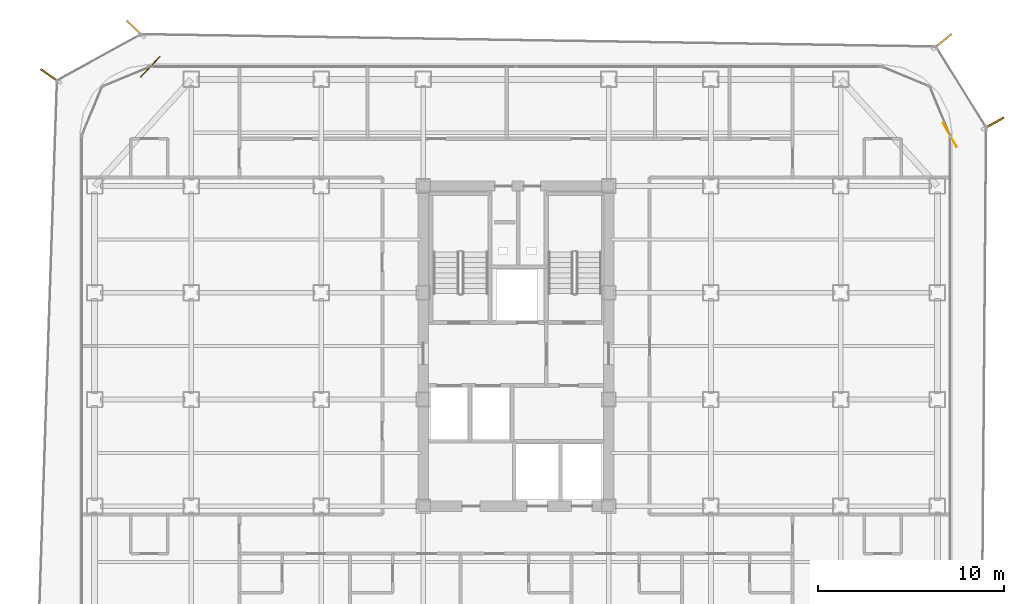
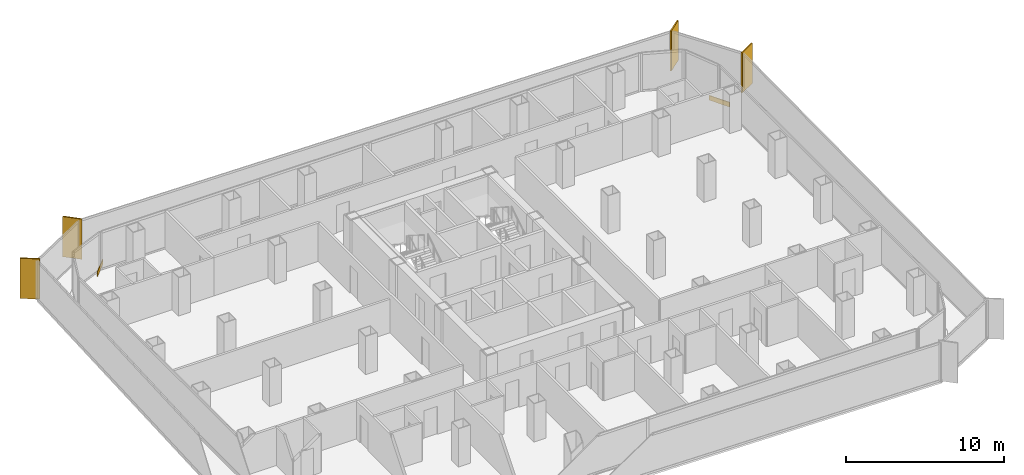
# One storey, part 21 of 21: 4 shading devices, 2 coverings.
"""IFC4 building model written with IfcOpenShell, lengths in metres."""

from ifc_helpers import new_model, si_unit, direction, frame, origin, origin_2d, place, context, subcontext, project, spatial, rectangle, extrude, source, transform, mapped, material, layer, layer_set, type_object, element, save


model = new_model("IFC4")

# Units and contexts
model_context = context("Model", 3, precision=1e-05, world=origin(), true_north=direction((0.0, 1.0)))
body_context = subcontext(model_context, "Body", "Model", "MODEL_VIEW")
ifc_project = project(units=[si_unit("LENGTHUNIT", "METRE"), si_unit("AREAUNIT", "SQUARE_METRE"), si_unit("VOLUMEUNIT", "CUBIC_METRE"), si_unit("PLANEANGLEUNIT", "RADIAN"), si_unit("MASSUNIT", "GRAM", prefix="KILO")], contexts=[model_context])

# Site, building, storey
site_placement = place(None, origin())
site = spatial("IfcSite", under=ifc_project, at=site_placement, CompositionType="ELEMENT")
building_placement = place(site_placement, origin())
building = spatial("IfcBuilding", under=site, at=building_placement, Name="Kolveth Station Tower", CompositionType="ELEMENT")
storey_placement = place(building_placement, frame((0.0, 0.0, 111.89990234375)))
storey = spatial("IfcBuildingStorey", under=building, at=storey_placement, Name="L30", CompositionType="ELEMENT", Elevation=111.89990234375)

# Shading devices
ifc_material_1 = material(Name="Black anodized aluminium 6063-T6", Category="aluminium")
shading_device_type = type_object("IfcShadingDeviceType", Name="FIN_VF1", PredefinedType="USERDEFINED", material=ifc_material_1)
shared_shape_1 = source(origin(), body_context, "Body", "SweptSolid", [
    extrude(rectangle(XDim=1.25, YDim=0.090087890625, at=origin_2d()), origin(), (0.0, 0.0, 1.0), 3.10009765625),
])
for number, where, z_axis, x_axis, name in (
    (1, (49.22412109375, 32.131103515625, 0.0), (0.0, 0.0, 1.0), (0.871385115776, 0.490599612724, 0.0), "L30 Dark-Aluminium Solar Fin 3"),
    (2, (46.47802734375, 36.5458984375, 0.0), (0.0, 0.0, 1.0), (0.772401123468, 0.635135028529, 0.0), "L30 Dark-Aluminium Solar Fin 4"),
    (3, (2.97607421875, 37.23291015625, 0.0), (0.0, 0.0, 1.0), (-0.7234492966, 0.690377516471, 0.0), "L30 Dark-Aluminium Solar Fin 5"),
    (4, (-1.594970703125, 34.69091796875, 0.0), (0.0, 0.0, 1.0), (-0.827276727994, 0.56179463803, 0.0), "L30 Dark-Aluminium Solar Fin 6"),
):
    element("IfcShadingDevice", number, at=place(storey_placement, frame(where, z_axis=z_axis, x_axis=x_axis)), inside=storey, type_object=shading_device_type, Name=name, ObjectType="FIN", PredefinedType="USERDEFINED", context=body_context, shape_type="MappedRepresentation", body=[
        mapped(shared_shape_1, transform((0.0, 0.0, 0.0), x_axis=(1.0, 0.0, 0.0), y_axis=(0.0, 1.0, 0.0), z_axis=(0.0, 0.0, 1.0), scale=1.0)),
    ])

# Coverings
ifc_material_2 = material(Name="Charcoal anodized aluminium spandrel cladding", Category="aluminium")
ifc_layer = layer(ifc_material_2, 0.044921875)
ifc_layer_set = layer_set([ifc_layer], Name="Charcoal anodized aluminium spandrel cladding")
covering_type = type_object("IfcCoveringType", Name="Clad_CD1", PredefinedType="CLADDING", material=ifc_layer_set)
shared_shape_2 = source(origin(), body_context, "Body", "SweptSolid", [
    extrude(rectangle(XDim=1.5, YDim=0.044921875, at=origin_2d()), origin(), (0.0, 0.0, 1.0), 0.360107421875),
])
for number, where, z_axis, x_axis, name in (
    (5, (46.8798828125, 31.5, 0.0), (0.0, 0.0, 1.0), (-0.490599612724, 0.871385115776, 0.0), "L30 Spandrel Edge Cladding 3"),
    (6, (3.800048828125, 35.179931640625, 0.0), (0.0, 0.0, 1.0), (-0.690377516471, -0.7234492966, 0.0), "L30 Spandrel Edge Cladding 5"),
):
    element("IfcCovering", number, at=place(storey_placement, frame(where, z_axis=z_axis, x_axis=x_axis)), inside=storey, type_object=covering_type, Name=name, PredefinedType="CLADDING", context=body_context, shape_type="MappedRepresentation", body=[
        mapped(shared_shape_2, transform((0.0, 0.0, 0.0), x_axis=(1.0, 0.0, 0.0), y_axis=(0.0, 1.0, 0.0), z_axis=(0.0, 0.0, 1.0), scale=1.0)),
    ])

save(model, "model.ifc")
